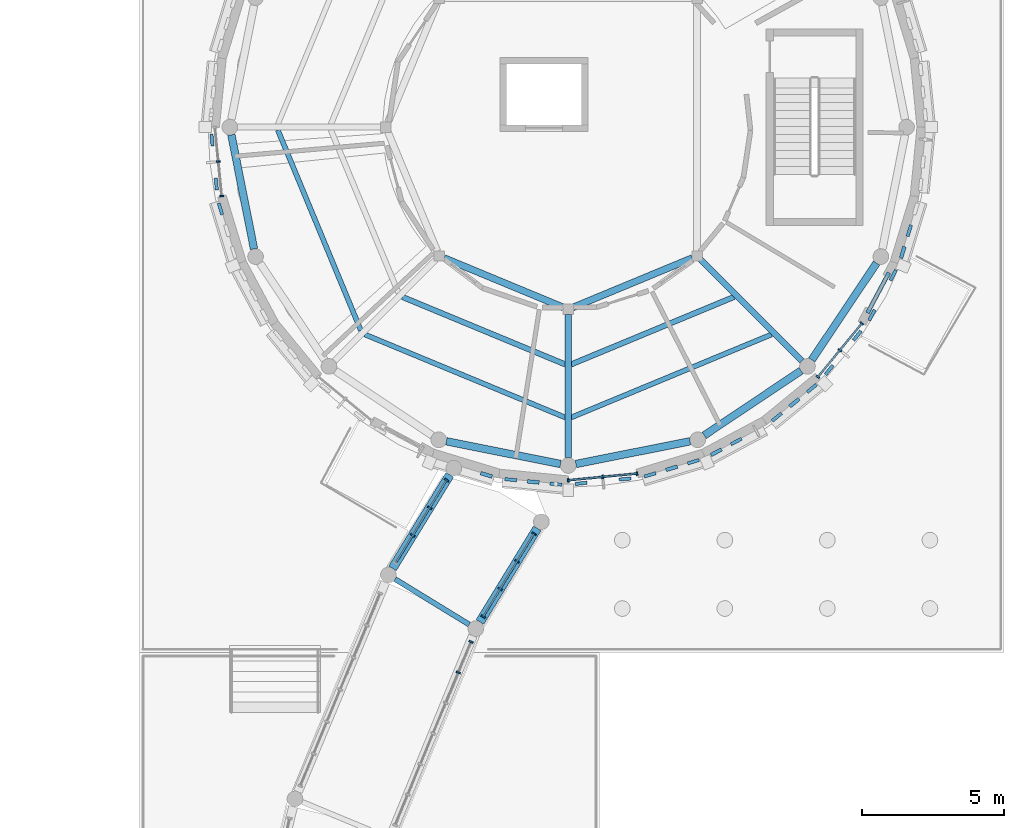
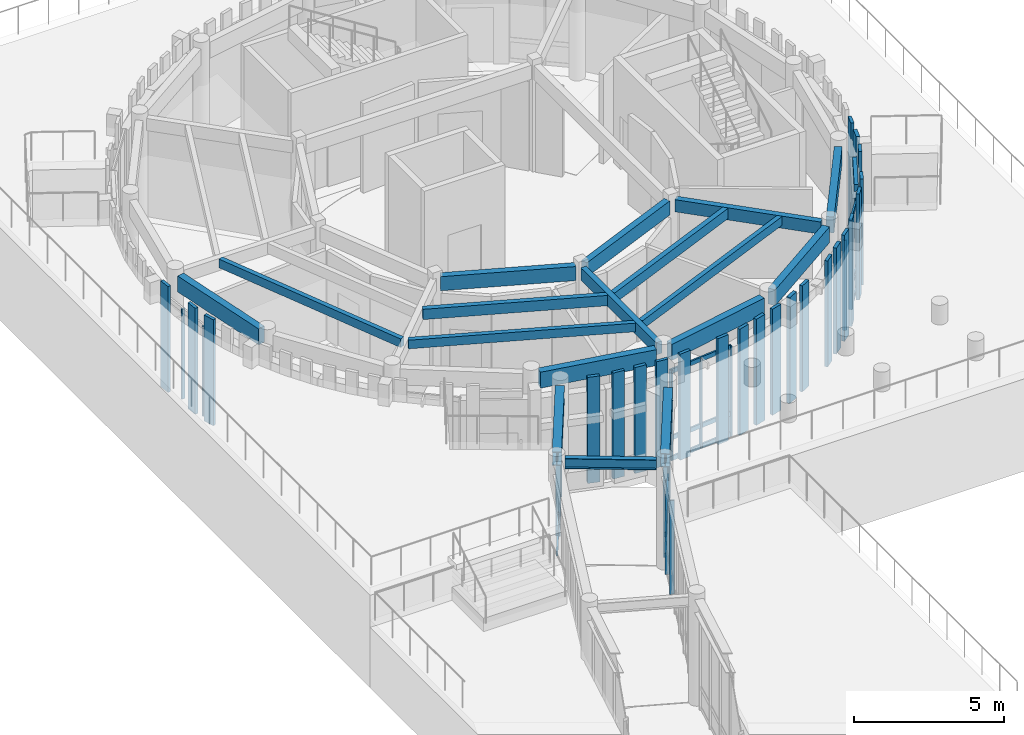
# One storey, part 30 of 94: 52 members, 18 beams, 6 elements without a shape of their own.
"""IFC4 building model written with IfcOpenShell, lengths in metres."""

from ifc_helpers import new_model, si_unit, direction, frame, origin, origin_2d, place, context, subcontext, project, spatial, rectangle, i_section, extrude, material, layer, layer_set, material_profile, profile_set, type_object, element, aggregate, save


model = new_model("IFC4")

# Units and contexts
model_context = context("Model", 3, precision=1e-05, world=origin(), true_north=direction((0.0, 1.0)))
body_context = subcontext(model_context, "Body", "Model", "MODEL_VIEW")
ifc_project = project(units=[si_unit("LENGTHUNIT", "METRE"), si_unit("AREAUNIT", "SQUARE_METRE"), si_unit("VOLUMEUNIT", "CUBIC_METRE"), si_unit("PLANEANGLEUNIT", "RADIAN"), si_unit("MASSUNIT", "GRAM", prefix="KILO")], contexts=[model_context])

# Site, building, storey
site_placement = place(None, origin())
site = spatial("IfcSite", under=ifc_project, at=site_placement, CompositionType="ELEMENT")
building_placement = place(site_placement, origin())
building = spatial("IfcBuilding", under=site, at=building_placement, Name="Aldenvaro Health Centre", CompositionType="ELEMENT")
storey_placement = place(building_placement, origin())
storey = spatial("IfcBuildingStorey", under=building, at=storey_placement, Name="L00", CompositionType="ELEMENT", Elevation=0.0)

# Beams
ifc_material_1 = material(Name="Glulam GL28h", Category="wood")
ifc_material_profile_1 = material_profile(ifc_material_1, rectangle(XDim=0.139892578125, YDim=0.280029296875, at=origin_2d()), Name="GL 140x280", Category="wood")
ifc_profile_set_1 = profile_set([ifc_material_profile_1], Name="Glulam GL28h")
beam_type_1 = type_object("IfcBeamType", Name="BM-GL-280", PredefinedType="LINTEL", material=ifc_profile_set_1)
beam_1_placement = place(storey_placement, frame((165.760009765625, 94.387939453125, 3.799072265625), z_axis=(-0.471285168353, -0.881980889867, 0.0), x_axis=(0.881980889867, -0.471285168353, 0.0)))
element("IfcBeam", 1, at=beam_1_placement, inside=storey, type_object=beam_type_1, Name="Portal Lintel Beam 08", PredefinedType="LINTEL", context=body_context, shape_type="SweptSolid", body=[
    extrude(rectangle(XDim=0.139892578125, YDim=0.280029296875, at=origin_2d()), origin(), (0.0, 0.0, 1.0), 1.599609375),
])
ifc_material_profile_2 = material_profile(ifc_material_1, rectangle(XDim=0.175048828125, YDim=0.35009765625, at=origin_2d()), Name="GL 175x350", Category="wood")
ifc_profile_set_2 = profile_set([ifc_material_profile_2], Name="Glulam GL28h")
beam_type_2 = type_object("IfcBeamType", Name="BM-GL-350", PredefinedType="JOIST", material=ifc_profile_set_2)
for number, where, z_axis, x_axis, name in (
    (2, (144.304931640625, 99.40087890625, 4.1298828125), (0.382732904244, -0.923859039036, 0.0), (0.923859039036, 0.382732904244, 0.0), "D2 L00 secondary joist 03.2"),
    (3, (147.362060546875, 92.220947265625, 4.1298828125), (0.923859039036, -0.382732904244, 0.0), (0.382732904244, 0.923859039036, 0.0), "D2 L00 secondary joist 04.2"),
    (4, (154.59912109375, 89.304931640625, 4.1298828125), (0.923859039036, 0.382732904244, 0.0), (-0.382732904244, 0.923859039036, 0.0), "D2 L00 secondary joist 05.2"),
):
    element("IfcBeam", number, at=place(storey_placement, frame(where, z_axis=z_axis, x_axis=x_axis)), inside=storey, type_object=beam_type_2, Name=name, PredefinedType="JOIST", context=body_context, shape_type="SweptSolid", body=[
        extrude(rectangle(XDim=0.175048828125, YDim=0.35009765625, at=origin_2d()), origin(), (0.0, 0.0, 1.0), 7.618896484375),
    ])
ifc_material_profile_3 = material_profile(ifc_material_1, rectangle(XDim=0.18994140625, YDim=0.41796875, at=origin_2d()), Name="GL 190x418", Category="wood")
ifc_profile_set_3 = profile_set([ifc_material_profile_3], Name="Glulam GL28h")
beam_type_3 = type_object("IfcBeamType", Name="BM-GL-418", PredefinedType="JOIST", material=ifc_profile_set_3)
for number, where, z_axis, x_axis, name in (
    (5, (148.678955078125, 93.5390625, 4.095947265625), (0.923822708444, -0.382820589001, 0.0), (0.382820589001, 0.923822708444, 0.0), "D2 L00 secondary joist 04.1"),
    (6, (154.59912109375, 91.16796875, 4.095947265625), (0.923822708444, 0.382820589001, 0.0), (-0.382820589001, 0.923822708444, 0.0), "D2 L00 secondary joist 05.1"),
):
    element("IfcBeam", number, at=place(storey_placement, frame(where, z_axis=z_axis, x_axis=x_axis)), inside=storey, type_object=beam_type_3, Name=name, PredefinedType="JOIST", context=body_context, shape_type="SweptSolid", body=[
        extrude(rectangle(XDim=0.18994140625, YDim=0.41796875, at=origin_2d()), origin(), (0.0, 0.0, 1.0), 6.19384765625),
    ])
ifc_material_profile_4 = material_profile(ifc_material_1, rectangle(XDim=0.215087890625, YDim=0.493896484375, at=origin_2d()), Name="GL 215x494", Category="wood")
ifc_profile_set_4 = profile_set([ifc_material_profile_4], Name="Glulam GL28h")
beam_type_4 = type_object("IfcBeamType", Name="BM-GL-494", PredefinedType="BEAM", material=ifc_profile_set_4)
beam_2_placement = place(storey_placement, frame((154.5, 92.9169921875, 4.05810546875), z_axis=(0.0, -1.0, 0.0), x_axis=(1.0, 0.0, 0.0)))
element("IfcBeam", 7, at=beam_2_placement, inside=storey, type_object=beam_type_4, Name="D2 L00 radial beam 05", PredefinedType="BEAM", context=body_context, shape_type="SweptSolid", body=[
    extrude(rectangle(XDim=0.215087890625, YDim=0.493896484375, at=origin_2d()), origin(), (0.0, 0.0, 1.0), 5.02197265625),
])
beam_3_placement = place(storey_placement, frame((159.154052734375, 94.845947265625, 4.05810546875), z_axis=(0.707106781187, -0.707106781187, 0.0), x_axis=(0.707106781187, 0.707106781187, 0.0)))
element("IfcBeam", 8, at=beam_3_placement, inside=storey, type_object=beam_type_4, Name="D2 L00 radial beam 06", PredefinedType="BEAM", context=body_context, shape_type="SweptSolid", body=[
    extrude(rectangle(XDim=0.215087890625, YDim=0.493896484375, at=origin_2d()), origin(), (0.0, 0.0, 1.0), 5.023193359375),
])
ifc_material_profile_5 = material_profile(ifc_material_1, rectangle(XDim=0.239990234375, YDim=0.570068359375, at=origin_2d()), Name="GL 240x570", Category="wood")
ifc_profile_set_5 = profile_set([ifc_material_profile_5], Name="Glulam GL28h")
beam_type_5 = type_object("IfcBeamType", Name="BM-GL-570", PredefinedType="BEAM", material=ifc_profile_set_5)
for number, where, z_axis, x_axis, name in (
    (9, (150.14404296875, 94.905029296875, 4.02001953125), (0.923817864667, -0.382832277795, 0.0), (0.382832277795, 0.923817864667, 0.0), "D2 L00 inner ring beam 04"),
    (10, (154.6689453125, 93.169921875, 4.02001953125), (0.923817864667, 0.382832277795, 0.0), (-0.382832277795, 0.923817864667, 0.0), "D2 L00 inner ring beam 05"),
):
    element("IfcBeam", number, at=place(storey_placement, frame(where, z_axis=z_axis, x_axis=x_axis)), inside=storey, type_object=beam_type_5, Name=name, PredefinedType="BEAM", context=body_context, shape_type="SweptSolid", body=[
        extrude(rectangle(XDim=0.239990234375, YDim=0.570068359375, at=origin_2d()), origin(), (0.0, 0.0, 1.0), 4.5322265625),
    ])
ifc_material_profile_6 = material_profile(ifc_material_1, rectangle(XDim=0.264892578125, YDim=0.64599609375, at=origin_2d()), Name="GL 265x646", Category="wood")
ifc_profile_set_6 = profile_set([ifc_material_profile_6], Name="Glulam GL28h")
beam_type_6 = type_object("IfcBeamType", Name="BM-GL-646", PredefinedType="SPANDREL", material=ifc_profile_set_6)
for number, where, z_axis, x_axis, name in (
    (11, (142.674072265625, 99.22998046875, 3.98193359375), (0.194874446549, -0.980828196007, 0.0), (0.980828196007, 0.194874446549, 0.0), "D2 L00 perimeter spandrel 09"),
    (12, (150.22412109375, 88.469970703125, 3.98193359375), (0.980828196007, -0.194874446549, 0.0), (0.194874446549, 0.980828196007, 0.0), "D2 L00 perimeter spandrel 12"),
    (13, (154.77001953125, 87.674072265625, 3.98193359375), (0.980828196007, 0.194874446549, 0.0), (-0.194874446549, 0.980828196007, 0.0), "D2 L00 perimeter spandrel 13"),
):
    element("IfcBeam", number, at=place(storey_placement, frame(where, z_axis=z_axis, x_axis=x_axis)), inside=storey, type_object=beam_type_6, Name=name, PredefinedType="SPANDREL", context=body_context, shape_type="SweptSolid", body=[
        extrude(rectangle(XDim=0.264892578125, YDim=0.64599609375, at=origin_2d()), origin(), (0.0, 0.0, 1.0), 4.084228515625),
    ])
for number, where, z_axis, x_axis, name in (
    (14, (159.27490234375, 88.677001953125, 3.98193359375), (0.83136923563, 0.555720427957, 0.0), (-0.555720427957, 0.83136923563, 0.0), "D2 L00 perimeter spandrel 14"),
    (15, (163.052978515625, 91.3291015625, 3.98193359375), (0.555720427957, 0.83136923563, 0.0), (-0.83136923563, 0.555720427957, 0.0), "D2 L00 perimeter spandrel 15"),
):
    element("IfcBeam", number, at=place(storey_placement, frame(where, z_axis=z_axis, x_axis=x_axis)), inside=storey, type_object=beam_type_6, Name=name, PredefinedType="SPANDREL", context=body_context, shape_type="SweptSolid", body=[
        extrude(rectangle(XDim=0.264892578125, YDim=0.64599609375, at=origin_2d()), origin(), (0.0, 0.0, 1.0), 4.084716796875),
    ])
ifc_material_2 = material(Name="Steel ASTM A992 Grade 50", Category="steel")
ifc_material_profile_7 = material_profile(ifc_material_2, i_section(OverallWidth=0.180908203125, OverallDepth=0.4169921875, WebThickness=0.010986328125, FlangeThickness=0.018310546875, at=origin_2d()), Name="W16X57", Category="steel")
ifc_profile_set_7 = profile_set([ifc_material_profile_7], Name="Steel ASTM A992 Grade 50")
beam_type_7 = type_object("IfcBeamType", Name="BM-ST-W16E", PredefinedType="JOIST", material=ifc_profile_set_7)
beam_4_placement = place(storey_placement, frame((151.02294921875, 82.0380859375, 4.135986328125), z_axis=(-0.852719668204, 0.522368804063, 0.0), x_axis=(-0.522368804063, -0.852719668204, 0.0)))
element("IfcBeam", 16, at=beam_4_placement, inside=storey, type_object=beam_type_7, Name="East Curved Garden Colonnade Arc 1 L00 cross beam 2", PredefinedType="JOIST", context=body_context, shape_type="SweptSolid", body=[
    extrude(i_section(OverallWidth=0.180908203125, OverallDepth=0.4169921875, WebThickness=0.010986328125, FlangeThickness=0.018310546875, at=origin_2d()), origin(), (0.0, 0.0, 1.0), 3.051513671875),
])
ifc_material_profile_8 = material_profile(ifc_material_2, i_section(OverallWidth=0.31201171875, OverallDepth=0.54296875, WebThickness=0.0126953125, FlangeThickness=0.020263671875, at=origin_2d()), Name="W21X101", Category="steel")
ifc_profile_set_8 = profile_set([ifc_material_profile_8], Name="Steel ASTM A992 Grade 50")
beam_type_8 = type_object("IfcBeamType", Name="BM-ST-W21E", PredefinedType="BEAM", material=ifc_profile_set_8)
beam_5_placement = place(storey_placement, frame((153.4140625, 85.4150390625, 4.073974609375), z_axis=(-0.52227983791, -0.852774161729, 0.0), x_axis=(0.852774161729, -0.52227983791, 0.0)))
element("IfcBeam", 17, at=beam_5_placement, inside=storey, type_object=beam_type_8, Name="East Curved Garden Colonnade Arc 1 L00 girder L-1", PredefinedType="BEAM", context=body_context, shape_type="SweptSolid", body=[
    extrude(i_section(OverallWidth=0.31201171875, OverallDepth=0.54296875, WebThickness=0.0126953125, FlangeThickness=0.020263671875, at=origin_2d()), origin(), (0.0, 0.0, 1.0), 3.8544921875),
])
beam_6_placement = place(storey_placement, frame((150.343994140625, 87.2958984375, 4.073974609375), z_axis=(-0.522374851136, -0.852715963789, 0.0), x_axis=(0.852715963789, -0.522374851136, 0.0)))
element("IfcBeam", 18, at=beam_6_placement, inside=storey, type_object=beam_type_8, Name="East Curved Garden Colonnade Arc 1 L00 girder R-1", PredefinedType="BEAM", context=body_context, shape_type="SweptSolid", body=[
    extrude(i_section(OverallWidth=0.31201171875, OverallDepth=0.54296875, WebThickness=0.0126953125, FlangeThickness=0.020263671875, at=origin_2d()), origin(), (0.0, 0.0, 1.0), 3.853515625),
])

# Curtain wall, members
ifc_material_3 = material(Name="Anodised Aluminium 6063-T6", Category="aluminium")
ifc_layer_1 = layer(ifc_material_3, 0.195068359375, Name="Anodised Aluminium 6063-T6", Category="aluminium")
ifc_layer_set_1 = layer_set([ifc_layer_1], Name="Anodised Aluminium 6063-T6")
curtain_wall_type_1 = type_object("IfcCurtainWallType", Name="CW-CLN-02", PredefinedType="NOTDEFINED", material=ifc_layer_set_1)
curtain_wall_1_placement = place(storey_placement, origin())
curtain_wall_1 = element("IfcCurtainWall", 19, at=curtain_wall_1_placement, inside=storey, type_object=curtain_wall_type_1, Name="D2 L00 curtain wall bay 04", PredefinedType="NOTDEFINED")
ifc_material_profile_9 = material_profile(ifc_material_3, rectangle(XDim=0.06005859375, YDim=0.135009765625, at=origin_2d()), Name="ALU 60x135", Category="aluminium")
ifc_profile_set_9 = profile_set([ifc_material_profile_9], Name="Anodised Aluminium 6063-T6")
member_type_1 = type_object("IfcMemberType", Name="CWM-150", PredefinedType="MULLION", material=ifc_profile_set_9)
member_1_placement = place(storey_placement, frame((164.81005859375, 92.611083984375, 0.0), z_axis=(0.0, 0.0, 1.0), x_axis=(-0.634379653268, -0.773021639749, 0.0)))
member_1 = element("IfcMember", 20, at=member_1_placement, type_object=member_type_1, Name="D2 L00 curtain wall bay 04 mullion 1", PredefinedType="MULLION", context=body_context, shape_type="SweptSolid", body=[
    extrude(rectangle(XDim=0.06005859375, YDim=0.135009765625, at=origin_2d()), origin(), (0.0, 0.0, 1.0), 3.658935546875),
])
member_2_placement = place(storey_placement, frame((164.0390625, 91.672119140625, 0.0), z_axis=(0.0, 0.0, 1.0), x_axis=(-0.634379653268, -0.773021639749, 0.0)))
member_2 = element("IfcMember", 21, at=member_2_placement, type_object=member_type_1, Name="D2 L00 curtain wall bay 04 mullion 2", PredefinedType="MULLION", context=body_context, shape_type="SweptSolid", body=[
    extrude(rectangle(XDim=0.06005859375, YDim=0.135009765625, at=origin_2d()), origin(), (0.0, 0.0, 1.0), 3.658935546875),
])
member_3_placement = place(storey_placement, frame((163.26806640625, 90.73193359375, 0.0), z_axis=(0.0, 0.0, 1.0), x_axis=(-0.634379653268, -0.773021639749, 0.0)))
member_3 = element("IfcMember", 22, at=member_3_placement, type_object=member_type_1, Name="D2 L00 curtain wall bay 04 mullion 3", PredefinedType="MULLION", context=body_context, shape_type="SweptSolid", body=[
    extrude(rectangle(XDim=0.06005859375, YDim=0.135009765625, at=origin_2d()), origin(), (0.0, 0.0, 1.0), 3.658935546875),
])

curtain_wall_2_placement = place(storey_placement, origin())
curtain_wall_2 = element("IfcCurtainWall", 23, at=curtain_wall_2_placement, inside=storey, type_object=curtain_wall_type_1, Name="D2 L00 curtain wall bay 08", PredefinedType="NOTDEFINED")
member_4_placement = place(storey_placement, frame((156.9189453125, 87.337890625, 0.0), z_axis=(0.0, 0.0, 1.0), x_axis=(-0.995194782414, -0.097914988926, 0.0)))
member_4 = element("IfcMember", 24, at=member_4_placement, type_object=member_type_1, Name="D2 L00 curtain wall bay 08 mullion 1", PredefinedType="MULLION", context=body_context, shape_type="SweptSolid", body=[
    extrude(rectangle(XDim=0.06005859375, YDim=0.135009765625, at=origin_2d()), origin(), (0.0, 0.0, 1.0), 3.658935546875),
])
member_5_placement = place(storey_placement, frame((155.708984375, 87.218994140625, 0.0), z_axis=(0.0, 0.0, 1.0), x_axis=(-0.995194782414, -0.097914988926, 0.0)))
member_5 = element("IfcMember", 25, at=member_5_placement, type_object=member_type_1, Name="D2 L00 curtain wall bay 08 mullion 2", PredefinedType="MULLION", context=body_context, shape_type="SweptSolid", body=[
    extrude(rectangle(XDim=0.06005859375, YDim=0.135009765625, at=origin_2d()), origin(), (0.0, 0.0, 1.0), 3.658935546875),
])
member_6_placement = place(storey_placement, frame((154.5, 87.10009765625, 0.0), z_axis=(0.0, 0.0, 1.0), x_axis=(-0.995194782414, -0.097914988926, 0.0)))
member_6 = element("IfcMember", 26, at=member_6_placement, type_object=member_type_1, Name="D2 L00 curtain wall bay 08 mullion 3", PredefinedType="MULLION", context=body_context, shape_type="SweptSolid", body=[
    extrude(rectangle(XDim=0.06005859375, YDim=0.135009765625, at=origin_2d()), origin(), (0.0, 0.0, 1.0), 3.658935546875),
])

curtain_wall_3_placement = place(storey_placement, origin())
curtain_wall_3 = element("IfcCurtainWall", 27, at=curtain_wall_3_placement, inside=storey, type_object=curtain_wall_type_1, Name="D2 L00 curtain wall bay 16", PredefinedType="NOTDEFINED")
member_7_placement = place(storey_placement, frame((142.337890625, 97.0810546875, 0.0), z_axis=(0.0, 0.0, 1.0), x_axis=(-0.097914988926, 0.995194782414, 0.0)))
member_7 = element("IfcMember", 28, at=member_7_placement, type_object=member_type_1, Name="D2 L00 curtain wall bay 16 mullion 1", PredefinedType="MULLION", context=body_context, shape_type="SweptSolid", body=[
    extrude(rectangle(XDim=0.06005859375, YDim=0.135009765625, at=origin_2d()), origin(), (0.0, 0.0, 1.0), 3.658935546875),
])
member_8_placement = place(storey_placement, frame((142.218994140625, 98.291015625, 0.0), z_axis=(0.0, 0.0, 1.0), x_axis=(-0.097914988926, 0.995194782414, 0.0)))
member_8 = element("IfcMember", 29, at=member_8_placement, type_object=member_type_1, Name="D2 L00 curtain wall bay 16 mullion 2", PredefinedType="MULLION", context=body_context, shape_type="SweptSolid", body=[
    extrude(rectangle(XDim=0.06005859375, YDim=0.135009765625, at=origin_2d()), origin(), (0.0, 0.0, 1.0), 3.658935546875),
])
aggregate(curtain_wall_3, [member_7, member_8])

ifc_layer_2 = layer(ifc_material_3, 0.2099609375, Name="Anodised Aluminium 6063-T6", Category="aluminium")
ifc_layer_set_2 = layer_set([ifc_layer_2], Name="Anodised Aluminium 6063-T6")
curtain_wall_type_2 = type_object("IfcCurtainWallType", Name="CW-BRG-03", PredefinedType="NOTDEFINED", material=ifc_layer_set_2)
curtain_wall_4_placement = place(storey_placement, origin())
curtain_wall_4 = element("IfcCurtainWall", 30, at=curtain_wall_4_placement, inside=storey, type_object=curtain_wall_type_2, Name="East Curved Garden Colonnade Arc 1 L00 glazed link wall L-1.1", PredefinedType="NOTDEFINED")
ifc_material_profile_10 = material_profile(ifc_material_3, rectangle(XDim=0.06005859375, YDim=0.159912109375, at=origin_2d()), Name="ALU 60x160", Category="aluminium")
ifc_profile_set_10 = profile_set([ifc_material_profile_10], Name="Anodised Aluminium 6063-T6")
member_type_2 = type_object("IfcMemberType", Name="CWM-180", PredefinedType="MULLION", material=ifc_profile_set_10)
member_9_placement = place(storey_placement, frame((153.300048828125, 85.22802734375, 0.0), z_axis=(0.0, 0.0, 1.0), x_axis=(-0.52261011534, -0.852571796005, 0.0)))
member_9 = element("IfcMember", 31, at=member_9_placement, type_object=member_type_2, Name="East Curved Garden Colonnade Arc 1 L00 glazed link wall L-1.1 mullion 1", PredefinedType="MULLION", context=body_context, shape_type="SweptSolid", body=[
    extrude(rectangle(XDim=0.06005859375, YDim=0.159912109375, at=origin_2d()), origin(), (0.0, 0.0, 1.0), 3.804931640625),
])
member_10_placement = place(storey_placement, frame((152.705078125, 84.257080078125, 0.0), z_axis=(0.0, 0.0, 1.0), x_axis=(-0.52261011534, -0.852571796005, 0.0)))
member_10 = element("IfcMember", 32, at=member_10_placement, type_object=member_type_2, Name="East Curved Garden Colonnade Arc 1 L00 glazed link wall L-1.1 mullion 2", PredefinedType="MULLION", context=body_context, shape_type="SweptSolid", body=[
    extrude(rectangle(XDim=0.06005859375, YDim=0.159912109375, at=origin_2d()), origin(), (0.0, 0.0, 1.0), 3.804931640625),
])
member_11_placement = place(storey_placement, frame((152.110107421875, 83.287109375, 0.0), z_axis=(0.0, 0.0, 1.0), x_axis=(-0.52261011534, -0.852571796005, 0.0)))
member_11 = element("IfcMember", 33, at=member_11_placement, type_object=member_type_2, Name="East Curved Garden Colonnade Arc 1 L00 glazed link wall L-1.1 mullion 3", PredefinedType="MULLION", context=body_context, shape_type="SweptSolid", body=[
    extrude(rectangle(XDim=0.06005859375, YDim=0.159912109375, at=origin_2d()), origin(), (0.0, 0.0, 1.0), 3.804931640625),
])
member_12_placement = place(storey_placement, frame((151.514892578125, 82.31591796875, 0.0), z_axis=(0.0, 0.0, 1.0), x_axis=(-0.52261011534, -0.852571796005, 0.0)))
member_12 = element("IfcMember", 34, at=member_12_placement, type_object=member_type_2, Name="East Curved Garden Colonnade Arc 1 L00 glazed link wall L-1.1 mullion 4", PredefinedType="MULLION", context=body_context, shape_type="SweptSolid", body=[
    extrude(rectangle(XDim=0.06005859375, YDim=0.159912109375, at=origin_2d()), origin(), (0.0, 0.0, 1.0), 3.804931640625),
])

curtain_wall_5_placement = place(storey_placement, origin())
curtain_wall_5 = element("IfcCurtainWall", 35, at=curtain_wall_5_placement, inside=storey, type_object=curtain_wall_type_2, Name="East Curved Garden Colonnade Arc 1 L00 glazed link wall R-1.1", PredefinedType="NOTDEFINED")
member_13_placement = place(storey_placement, frame((150.22998046875, 87.10791015625, 0.0), z_axis=(0.0, 0.0, 1.0), x_axis=(-0.522527716361, -0.852622299518, 0.0)))
member_13 = element("IfcMember", 36, at=member_13_placement, type_object=member_type_2, Name="East Curved Garden Colonnade Arc 1 L00 glazed link wall R-1.1 mullion 1", PredefinedType="MULLION", context=body_context, shape_type="SweptSolid", body=[
    extrude(rectangle(XDim=0.06005859375, YDim=0.159912109375, at=origin_2d()), origin(), (0.0, 0.0, 1.0), 3.804931640625),
])
member_14_placement = place(storey_placement, frame((149.635009765625, 86.137939453125, 0.0), z_axis=(0.0, 0.0, 1.0), x_axis=(-0.522527716361, -0.852622299518, 0.0)))
member_14 = element("IfcMember", 37, at=member_14_placement, type_object=member_type_2, Name="East Curved Garden Colonnade Arc 1 L00 glazed link wall R-1.1 mullion 2", PredefinedType="MULLION", context=body_context, shape_type="SweptSolid", body=[
    extrude(rectangle(XDim=0.06005859375, YDim=0.159912109375, at=origin_2d()), origin(), (0.0, 0.0, 1.0), 3.804931640625),
])
member_15_placement = place(storey_placement, frame((149.041015625, 85.1669921875, 0.0), z_axis=(0.0, 0.0, 1.0), x_axis=(-0.522527716361, -0.852622299518, 0.0)))
member_15 = element("IfcMember", 38, at=member_15_placement, type_object=member_type_2, Name="East Curved Garden Colonnade Arc 1 L00 glazed link wall R-1.1 mullion 3", PredefinedType="MULLION", context=body_context, shape_type="SweptSolid", body=[
    extrude(rectangle(XDim=0.06005859375, YDim=0.159912109375, at=origin_2d()), origin(), (0.0, 0.0, 1.0), 3.804931640625),
])

curtain_wall_6_placement = place(storey_placement, origin())
curtain_wall_6 = element("IfcCurtainWall", 39, at=curtain_wall_6_placement, inside=storey, type_object=curtain_wall_type_2, Name="East Curved Garden Colonnade Arc 2 L00 glazed link wall L-1.1", PredefinedType="NOTDEFINED")
member_16_placement = place(storey_placement, frame((151.087890625, 81.428955078125, 0.0), z_axis=(0.0, 0.0, 1.0), x_axis=(-0.382596838462, -0.923915396126, 0.0)))
member_16 = element("IfcMember", 40, at=member_16_placement, type_object=member_type_2, Name="East Curved Garden Colonnade Arc 2 L00 glazed link wall L-1.1 mullion 1", PredefinedType="MULLION", context=body_context, shape_type="SweptSolid", body=[
    extrude(rectangle(XDim=0.06005859375, YDim=0.159912109375, at=origin_2d()), origin(), (0.0, 0.0, 1.0), 3.804931640625),
])
member_17_placement = place(storey_placement, frame((150.64404296875, 80.35595703125, 0.0), z_axis=(0.0, 0.0, 1.0), x_axis=(-0.382596838462, -0.923915396126, 0.0)))
member_17 = element("IfcMember", 41, at=member_17_placement, type_object=member_type_2, Name="East Curved Garden Colonnade Arc 2 L00 glazed link wall L-1.1 mullion 2", PredefinedType="MULLION", context=body_context, shape_type="SweptSolid", body=[
    extrude(rectangle(XDim=0.06005859375, YDim=0.159912109375, at=origin_2d()), origin(), (0.0, 0.0, 1.0), 3.804931640625),
])
aggregate(curtain_wall_6, [member_16, member_17])

# Member
ifc_material_profile_11 = material_profile(ifc_material_3, rectangle(XDim=0.06494140625, YDim=0.179931640625, at=origin_2d()), Name="ALU 65x180", Category="aluminium")
ifc_profile_set_11 = profile_set([ifc_material_profile_11], Name="Anodised Aluminium 6063-T6")
member_type_3 = type_object("IfcMemberType", Name="CWT-150", PredefinedType="USERDEFINED", material=ifc_profile_set_11)
member_18_placement = place(storey_placement, frame((164.81005859375, 92.611083984375, 0.06005859375), z_axis=(-0.634347392822, -0.773048113134, 0.0), x_axis=(0.773048113134, -0.634347392822, 0.0)))
member_18 = element("IfcMember", 42, at=member_18_placement, type_object=member_type_3, Name="D2 L00 curtain wall bay 04 transom 1", ObjectType="TRANSOM", PredefinedType="USERDEFINED", context=body_context, shape_type="SweptSolid", body=[
    extrude(rectangle(XDim=0.06494140625, YDim=0.179931640625, at=origin_2d()), origin(), (0.0, 0.0, 1.0), 2.430908203125),
])

member_19_placement = place(storey_placement, frame((164.81005859375, 92.611083984375, 0.89990234375), z_axis=(-0.634347392822, -0.773048113134, 0.0), x_axis=(0.773048113134, -0.634347392822, 0.0)))
member_19 = element("IfcMember", 43, at=member_19_placement, type_object=member_type_3, Name="D2 L00 curtain wall bay 04 transom 2", ObjectType="TRANSOM", PredefinedType="USERDEFINED", context=body_context, shape_type="SweptSolid", body=[
    extrude(rectangle(XDim=0.06494140625, YDim=0.179931640625, at=origin_2d()), origin(), (0.0, 0.0, 1.0), 2.430908203125),
])

member_20_placement = place(storey_placement, frame((164.81005859375, 92.611083984375, 3.59912109375), z_axis=(-0.634347392822, -0.773048113134, 0.0), x_axis=(0.773048113134, -0.634347392822, 0.0)))
member_20 = element("IfcMember", 44, at=member_20_placement, type_object=member_type_3, Name="D2 L00 curtain wall bay 04 transom 3", ObjectType="TRANSOM", PredefinedType="USERDEFINED", context=body_context, shape_type="SweptSolid", body=[
    extrude(rectangle(XDim=0.06494140625, YDim=0.179931640625, at=origin_2d()), origin(), (0.0, 0.0, 1.0), 2.430908203125),
])

aggregate(curtain_wall_1, [member_1, member_2, member_3, member_18, member_19, member_20])

member_21_placement = place(storey_placement, frame((156.9189453125, 87.337890625, 0.06005859375), z_axis=(-0.995202863323, -0.097832820839, 0.0), x_axis=(0.097832820839, -0.995202863323, 0.0)))
member_21 = element("IfcMember", 45, at=member_21_placement, type_object=member_type_3, Name="D2 L00 curtain wall bay 08 transom 1", ObjectType="TRANSOM", PredefinedType="USERDEFINED", context=body_context, shape_type="SweptSolid", body=[
    extrude(rectangle(XDim=0.06494140625, YDim=0.179931640625, at=origin_2d()), origin(), (0.0, 0.0, 1.0), 2.4306640625),
])

member_22_placement = place(storey_placement, frame((156.9189453125, 87.337890625, 0.89990234375), z_axis=(-0.995202863323, -0.097832820839, 0.0), x_axis=(0.097832820839, -0.995202863323, 0.0)))
member_22 = element("IfcMember", 46, at=member_22_placement, type_object=member_type_3, Name="D2 L00 curtain wall bay 08 transom 2", ObjectType="TRANSOM", PredefinedType="USERDEFINED", context=body_context, shape_type="SweptSolid", body=[
    extrude(rectangle(XDim=0.06494140625, YDim=0.179931640625, at=origin_2d()), origin(), (0.0, 0.0, 1.0), 2.4306640625),
])

member_23_placement = place(storey_placement, frame((156.9189453125, 87.337890625, 3.59912109375), z_axis=(-0.995202863323, -0.097832820839, 0.0), x_axis=(0.097832820839, -0.995202863323, 0.0)))
member_23 = element("IfcMember", 47, at=member_23_placement, type_object=member_type_3, Name="D2 L00 curtain wall bay 08 transom 3", ObjectType="TRANSOM", PredefinedType="USERDEFINED", context=body_context, shape_type="SweptSolid", body=[
    extrude(rectangle(XDim=0.06494140625, YDim=0.179931640625, at=origin_2d()), origin(), (0.0, 0.0, 1.0), 2.4306640625),
])

aggregate(curtain_wall_2, [member_4, member_5, member_6, member_21, member_22, member_23])

member_24_placement = place(storey_placement, frame((153.300048828125, 85.22802734375, 0.06005859375), z_axis=(-0.522629098417, -0.852560159453, 0.0), x_axis=(0.852560159453, -0.522629098417, 0.0)))
member_24 = element("IfcMember", 48, at=member_24_placement, type_object=member_type_3, Name="East Curved Garden Colonnade Arc 1 L00 glazed link wall L-1.1 transom 1", ObjectType="TRANSOM", PredefinedType="USERDEFINED", context=body_context, shape_type="SweptSolid", body=[
    extrude(rectangle(XDim=0.06494140625, YDim=0.179931640625, at=origin_2d()), origin(), (0.0, 0.0, 1.0), 3.415771484375),
])

member_25_placement = place(storey_placement, frame((153.300048828125, 85.22802734375, 0.89990234375), z_axis=(-0.522629098417, -0.852560159453, 0.0), x_axis=(0.852560159453, -0.522629098417, 0.0)))
member_25 = element("IfcMember", 49, at=member_25_placement, type_object=member_type_3, Name="East Curved Garden Colonnade Arc 1 L00 glazed link wall L-1.1 transom 2", ObjectType="TRANSOM", PredefinedType="USERDEFINED", context=body_context, shape_type="SweptSolid", body=[
    extrude(rectangle(XDim=0.06494140625, YDim=0.179931640625, at=origin_2d()), origin(), (0.0, 0.0, 1.0), 3.415771484375),
])

member_26_placement = place(storey_placement, frame((153.300048828125, 85.22802734375, 3.7451171875), z_axis=(-0.522629098417, -0.852560159453, 0.0), x_axis=(0.852560159453, -0.522629098417, 0.0)))
member_26 = element("IfcMember", 50, at=member_26_placement, type_object=member_type_3, Name="East Curved Garden Colonnade Arc 1 L00 glazed link wall L-1.1 transom 3", ObjectType="TRANSOM", PredefinedType="USERDEFINED", context=body_context, shape_type="SweptSolid", body=[
    extrude(rectangle(XDim=0.06494140625, YDim=0.179931640625, at=origin_2d()), origin(), (0.0, 0.0, 1.0), 3.415771484375),
])

aggregate(curtain_wall_4, [member_9, member_10, member_11, member_12, member_24, member_25, member_26])

member_27_placement = place(storey_placement, frame((150.22998046875, 87.10791015625, 0.06005859375), z_axis=(-0.522528519991, -0.852621807014, 0.0), x_axis=(0.852621807014, -0.522528519991, 0.0)))
member_27 = element("IfcMember", 51, at=member_27_placement, type_object=member_type_3, Name="East Curved Garden Colonnade Arc 1 L00 glazed link wall R-1.1 transom 1", ObjectType="TRANSOM", PredefinedType="USERDEFINED", context=body_context, shape_type="SweptSolid", body=[
    extrude(rectangle(XDim=0.06494140625, YDim=0.179931640625, at=origin_2d()), origin(), (0.0, 0.0, 1.0), 3.4140625),
])

member_28_placement = place(storey_placement, frame((150.22998046875, 87.10791015625, 0.89990234375), z_axis=(-0.522528519991, -0.852621807014, 0.0), x_axis=(0.852621807014, -0.522528519991, 0.0)))
member_28 = element("IfcMember", 52, at=member_28_placement, type_object=member_type_3, Name="East Curved Garden Colonnade Arc 1 L00 glazed link wall R-1.1 transom 2", ObjectType="TRANSOM", PredefinedType="USERDEFINED", context=body_context, shape_type="SweptSolid", body=[
    extrude(rectangle(XDim=0.06494140625, YDim=0.179931640625, at=origin_2d()), origin(), (0.0, 0.0, 1.0), 3.4140625),
])

member_29_placement = place(storey_placement, frame((150.22998046875, 87.10791015625, 3.7451171875), z_axis=(-0.522528519991, -0.852621807014, 0.0), x_axis=(0.852621807014, -0.522528519991, 0.0)))
member_29 = element("IfcMember", 53, at=member_29_placement, type_object=member_type_3, Name="East Curved Garden Colonnade Arc 1 L00 glazed link wall R-1.1 transom 3", ObjectType="TRANSOM", PredefinedType="USERDEFINED", context=body_context, shape_type="SweptSolid", body=[
    extrude(rectangle(XDim=0.06494140625, YDim=0.179931640625, at=origin_2d()), origin(), (0.0, 0.0, 1.0), 3.4140625),
])

aggregate(curtain_wall_5, [member_13, member_14, member_15, member_27, member_28, member_29])

# Members
ifc_material_profile_12 = material_profile(ifc_material_1, rectangle(XDim=0.114990234375, YDim=0.419921875, at=origin_2d()), Name="GL 115x420", Category="wood")
ifc_profile_set_12 = profile_set([ifc_material_profile_12], Name="Glulam GL28h")
member_type_4 = type_object("IfcMemberType", Name="MEM-SLT-420A", PredefinedType="POST", material=ifc_profile_set_12)
for number, where, z_axis, x_axis, name in (
    (54, (166.47607421875, 95.866943359375, 0.0), (0.0, 0.0, 1.0), (0.956892827403, -0.290441245116, 0.0), "D2 L00 vertical timber slat 2.2"),
    (55, (165.912109375, 94.302001953125, 0.0), (0.0, 0.0, 1.0), (0.881919874971, -0.471399336159, 0.0), "D2 L00 vertical timber slat 3.1"),
    (56, (165.162109375, 92.89892578125, 0.0), (0.0, 0.0, 1.0), (0.881919874971, -0.471399336159, 0.0), "D2 L00 vertical timber slat 3.3"),
    (57, (164.64794921875, 92.177978515625, 0.0), (0.0, 0.0, 1.0), (0.773021639749, -0.634379653268, 0.0), "D2 L00 curtain mullion timber slat 4"),
    (58, (163.662109375, 90.97509765625, 0.0), (0.0, 0.0, 1.0), (0.773021639749, -0.634379653268, 0.0), "D2 L00 curtain mullion timber slat 4"),
    (59, (163.053955078125, 90.330078125, 0.0), (0.0, 0.0, 1.0), (0.634379653268, -0.773021639749, 0.0), "D2 L00 vertical timber slat 5.1"),
    (60, (161.824951171875, 89.321044921875, 0.0), (0.0, 0.0, 1.0), (0.634379653268, -0.773021639749, 0.0), "D2 L00 vertical timber slat 5.3"),
    (61, (160.39892578125, 88.462890625, 0.0), (0.0, 0.0, 1.0), (0.471399336159, -0.881919874971, 0.0), "D2 L00 vertical timber slat 6.2"),
    (62, (158.89404296875, 87.7548828125, 0.0), (0.0, 0.0, 1.0), (0.290441245116, -0.956892827403, 0.0), "D2 L00 vertical timber slat 7.1"),
    (63, (157.3720703125, 87.29296875, 0.0), (0.0, 0.0, 1.0), (0.290441245116, -0.956892827403, 0.0), "D2 L00 vertical timber slat 7.3"),
    (64, (156.498046875, 87.14599609375, 0.0), (0.0, 0.0, 1.0), (0.097914988926, -0.995194782414, 0.0), "D2 L00 curtain mullion timber slat 8"),
    (65, (154.949951171875, 86.993896484375, 0.0), (0.0, 0.0, 1.0), (0.097914988926, -0.995194782414, 0.0), "D2 L00 curtain mullion timber slat 8"),
    (66, (154.06494140625, 86.967041015625, 0.0), (0.0, 0.0, 1.0), (-0.097914988926, -0.995194782414, 0.0), "D2 L00 vertical timber slat 9.1"),
    (67, (152.48193359375, 87.123046875, 0.0), (0.0, 0.0, 1.0), (-0.097914988926, -0.995194782414, 0.0), "D2 L00 vertical timber slat 9.3"),
    (68, (142.29296875, 96.6279296875, 0.0), (0.0, 0.0, 1.0), (-0.956892827403, -0.290441245116, 0.0), "D2 L00 vertical timber slat 15.3"),
    (69, (142.14599609375, 97.501953125, 0.0), (0.0, 0.0, 1.0), (-0.995194782414, -0.097914988926, 0.0), "D2 L00 curtain mullion timber slat 16"),
    (70, (141.993896484375, 99.050048828125, 0.0), (0.0, 0.0, 1.0), (-0.995194782414, -0.097914988926, 0.0), "D2 L00 curtain mullion timber slat 16"),
):
    element("IfcMember", number, at=place(storey_placement, frame(where, z_axis=z_axis, x_axis=x_axis)), inside=storey, type_object=member_type_4, Name=name, PredefinedType="POST", context=body_context, shape_type="SweptSolid", body=[
        extrude(rectangle(XDim=0.114990234375, YDim=0.419921875, at=origin_2d()), origin(), (0.0, 0.0, 1.0), 4.304931640625),
    ])
ifc_material_profile_13 = material_profile(ifc_material_1, rectangle(XDim=0.1298828125, YDim=0.419921875, at=origin_2d()), Name="GL 130x420", Category="wood")
ifc_profile_set_13 = profile_set([ifc_material_profile_13], Name="Glulam GL28h")
member_type_5 = type_object("IfcMemberType", Name="MEM-SLT-420B", PredefinedType="POST", material=ifc_profile_set_13)
for number, where, z_axis, x_axis, name in (
    (71, (166.2451171875, 95.10595703125, 0.0), (0.0, 0.0, 1.0), (0.956892827403, -0.290441245116, 0.0), "D2 L00 vertical timber slat 2.3"),
    (72, (162.43994140625, 89.825927734375, 0.0), (0.0, 0.0, 1.0), (0.634379653268, -0.773021639749, 0.0), "D2 L00 vertical timber slat 5.2"),
    (73, (159.697998046875, 88.087890625, 0.0), (0.0, 0.0, 1.0), (0.471399336159, -0.881919874971, 0.0), "D2 L00 vertical timber slat 6.3"),
    (74, (158.133056640625, 87.52392578125, 0.0), (0.0, 0.0, 1.0), (0.290441245116, -0.956892827403, 0.0), "D2 L00 vertical timber slat 7.2"),
    (75, (153.27294921875, 87.044921875, 0.0), (0.0, 0.0, 1.0), (-0.097914988926, -0.995194782414, 0.0), "D2 L00 vertical timber slat 9.2"),
    (76, (151.6279296875, 87.29296875, 0.0), (0.0, 0.0, 1.0), (-0.290441245116, -0.956892827403, 0.0), "D2 L00 vertical timber slat 10.1"),
):
    element("IfcMember", number, at=place(storey_placement, frame(where, z_axis=z_axis, x_axis=x_axis)), inside=storey, type_object=member_type_5, Name=name, PredefinedType="POST", context=body_context, shape_type="SweptSolid", body=[
        extrude(rectangle(XDim=0.1298828125, YDim=0.419921875, at=origin_2d()), origin(), (0.0, 0.0, 1.0), 4.304931640625),
    ])

save(model, "model.ifc")
